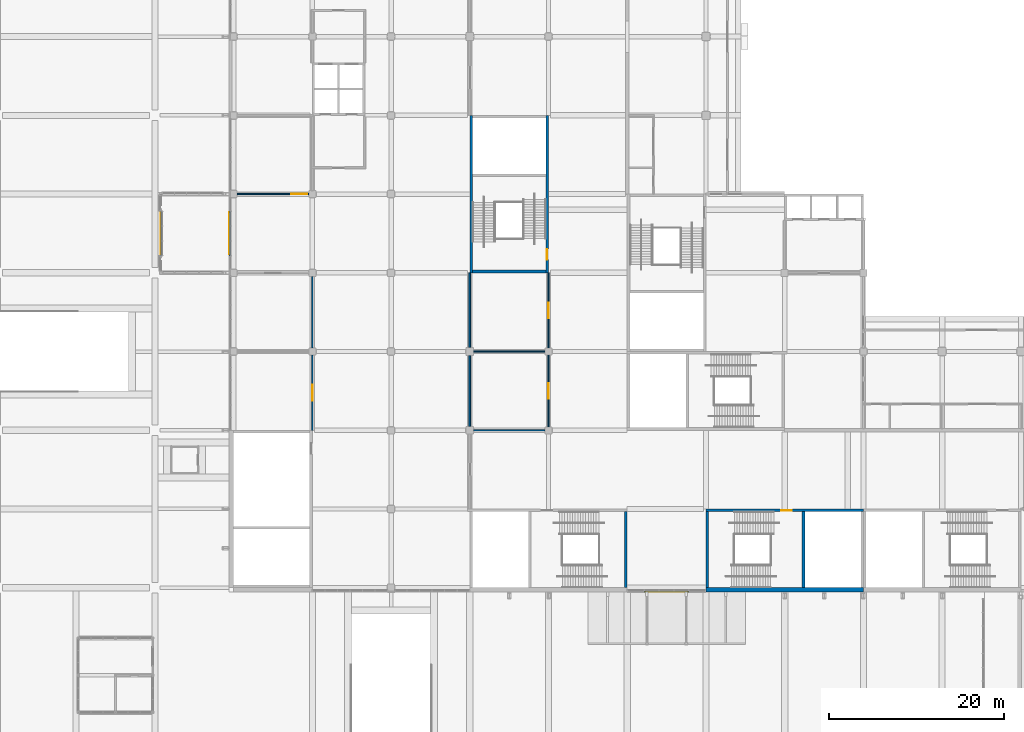
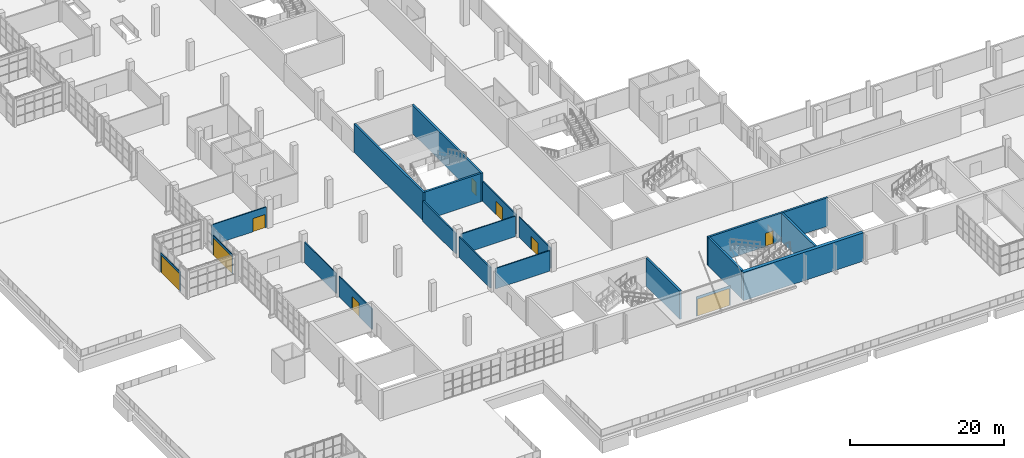
# One storey, part 92 of 168: 20 walls, 9 doors, 9 openings.
"""IFC4 building model written with IfcOpenShell, lengths in metres."""

from ifc_helpers import new_model, si_unit, direction, frame, frame_2d, origin, place, context, subcontext, project, spatial, rectangle, extrude, material, layer, layer_set, type_object, element, fill, save


model = new_model("IFC4")

# Units and contexts
model_context = context("Model", 3, precision=1e-05, world=origin(), true_north=direction((0.0, 1.0)))
body_context = subcontext(model_context, "Body", "Model", "MODEL_VIEW")
ifc_project = project(units=[si_unit("LENGTHUNIT", "METRE"), si_unit("AREAUNIT", "SQUARE_METRE"), si_unit("VOLUMEUNIT", "CUBIC_METRE"), si_unit("PLANEANGLEUNIT", "RADIAN"), si_unit("MASSUNIT", "GRAM", prefix="KILO")], contexts=[model_context])

# Site, building, storey
site_placement = place(None, origin())
site = spatial("IfcSite", under=ifc_project, at=site_placement, CompositionType="ELEMENT")
building_placement = place(site_placement, origin())
building = spatial("IfcBuilding", under=site, at=building_placement, Name="Silverbay Arena", CompositionType="ELEMENT")
storey_placement = place(building_placement, frame((0.0, 0.0, 7.0)))
storey = spatial("IfcBuildingStorey", under=building, at=storey_placement, Name="L01", CompositionType="ELEMENT", Elevation=7.0)

# Wall, opening, door
ifc_material_1 = material(Name="Concrete Grade C45", Category="concrete")
ifc_layer_1 = layer(ifc_material_1, 0.300048828125)
ifc_layer_set_1 = layer_set([ifc_layer_1], Name="Concrete Grade C45")
wall_type_1 = type_object("IfcWallType", Name="Core wall RC 300 EI 120", PredefinedType="SHEAR", material=ifc_layer_set_1)
wall_1_placement = place(storey_placement, frame((81.0, 26.85009765625, 0.0), z_axis=(0.0, 0.0, 1.0), x_axis=(1.0, 0.0, 0.0)))
wall_1 = element("IfcWall", 1, at=wall_1_placement, inside=storey, type_object=wall_type_1, Name="Core wall ST-S1 L01 door side", PredefinedType="SHEAR", context=body_context, shape_type="SweptSolid", body=[
    extrude(rectangle(XDim=18.0, YDim=0.300048828125, at=frame_2d((9.0, 0.0))), origin(), (0.0, 0.0, 1.0), 4.5),
])
opening_1_placement = place(wall_1_placement, frame((8.60009765625, 0.0, 0.0)))
opening_1 = element("IfcOpeningElement", 2, at=opening_1_placement, cuts=wall_1, Name="Opening L01-101", PredefinedType="OPENING", context=body_context, shape_type="SweptSolid", body=[
    extrude(rectangle(XDim=1.199951171875, YDim=2.10009765625, at=frame_2d((0.60009765625, 1.050048828125))), frame((0.0, 0.16015625, 0.0), z_axis=(0.0, -1.0, 0.0), x_axis=(1.0, 0.0, 0.0)), (0.0, 0.0, 1.0), 0.320068359375),
])
ifc_material_2 = material(Name="Steel fire door", Category="steel")
door_type_1 = type_object("IfcDoorType", Name="Stair door 1200 x 2100 fire door", OperationType="SINGLE_SWING_LEFT", PredefinedType="DOOR", material=ifc_material_2)
door_1_placement = place(opening_1_placement, frame((1.199951171875, 0.0, 0.0), z_axis=(0.0, 0.0, 1.0), x_axis=(-1.0, 0.0, 0.0)))
door_1 = element("IfcDoor", 3, at=door_1_placement, inside=storey, type_object=door_type_1, Name="Stair door ST-S1 L01", OperationType="SINGLE_SWING_LEFT", OverallHeight=2.10009765625, OverallWidth=1.199951171875, PredefinedType="DOOR", context=body_context, shape_type="SweptSolid", body=[
    extrude(rectangle(XDim=1.199951171875, YDim=2.10009765625, at=frame_2d((0.60009765625, 1.050048828125))), frame((0.0, 0.02490234375, 0.0), z_axis=(0.0, -1.0, 0.0), x_axis=(1.0, 0.0, 0.0)), (0.0, 0.0, 1.0), 0.050048828125),
])
fill(opening_1, door_1)

# Walls
for number, where, z_axis, x_axis, name in (
    (4, (81.14990234375, 26.699951171875, 0.0), (0.0, 0.0, 1.0), (0.0, -1.0, 0.0), "Core wall ST-S1 L01 end 1"),
    (5, (92.14990234375, 26.699951171875, 0.0), (0.0, 0.0, 1.0), (0.0, -1.0, 0.0), "Core wall ST-S1 L01 stair enclosure"),
    (6, (71.85009765625, 26.699951171875, 0.0), (0.0, 0.0, 1.0), (0.0, -1.0, 0.0), "Core wall ST-S5 L01 end 1"),
):
    element("IfcWall", number, at=place(storey_placement, frame(where, z_axis=z_axis, x_axis=x_axis)), inside=storey, type_object=wall_type_1, Name=name, PredefinedType="SHEAR", context=body_context, shape_type="SweptSolid", body=[
        extrude(rectangle(XDim=8.699951171875, YDim=0.300048828125, at=frame_2d((4.35009765625, 0.0))), origin(), (0.0, 0.0, 1.0), 4.5),
    ])

# Wall, opening, door
wall_2_placement = place(storey_placement, frame((62.85009765625, 54.0, 0.0), z_axis=(0.0, 0.0, 1.0), x_axis=(0.0, 1.0, 0.0)))
wall_2 = element("IfcWall", 7, at=wall_2_placement, inside=storey, type_object=wall_type_1, Name="Core wall ST-W1 L01 door side", PredefinedType="SHEAR", context=body_context, shape_type="SweptSolid", body=[
    extrude(rectangle(XDim=18.0, YDim=0.300048828125, at=frame_2d((9.0, 0.0))), origin(), (0.0, 0.0, 1.0), 4.5),
])
opening_2_placement = place(wall_2_placement, frame((1.5, 0.0, 0.0)))
opening_2 = element("IfcOpeningElement", 8, at=opening_2_placement, cuts=wall_2, Name="Opening L01-113", PredefinedType="OPENING", context=body_context, shape_type="SweptSolid", body=[
    extrude(rectangle(XDim=1.199951171875, YDim=2.10009765625, at=frame_2d((0.60009765625, 1.050048828125))), frame((0.0, 0.16015625, 0.0), z_axis=(0.0, -1.0, 0.0), x_axis=(1.0, 0.0, 0.0)), (0.0, 0.0, 1.0), 0.320068359375),
])
door_2_placement = place(opening_2_placement, origin())
door_2 = element("IfcDoor", 9, at=door_2_placement, inside=storey, type_object=door_type_1, Name="Stair door ST-W1 L01", OperationType="SINGLE_SWING_LEFT", OverallHeight=2.10009765625, OverallWidth=1.199951171875, PredefinedType="DOOR", context=body_context, shape_type="SweptSolid", body=[
    extrude(rectangle(XDim=1.199951171875, YDim=2.10009765625, at=frame_2d((0.60009765625, 1.050048828125))), frame((0.0, 0.02490234375, 0.0), z_axis=(0.0, -1.0, 0.0), x_axis=(1.0, 0.0, 0.0)), (0.0, 0.0, 1.0), 0.050048828125),
])
fill(opening_2, door_2)

# Walls
wall_3_placement = place(storey_placement, frame((54.14990234375, 54.0, 0.0), z_axis=(0.0, 0.0, 1.0), x_axis=(0.0, 1.0, 0.0)))
element("IfcWall", 10, at=wall_3_placement, inside=storey, type_object=wall_type_1, Name="Core wall ST-W1 L01 far side", PredefinedType="SHEAR", context=body_context, shape_type="SweptSolid", body=[
    extrude(rectangle(XDim=18.0, YDim=0.300048828125, at=frame_2d((9.0, 0.0))), origin(), (0.0, 0.0, 1.0), 4.5),
])
wall_4_placement = place(storey_placement, frame((62.699951171875, 54.14990234375, 0.0), z_axis=(0.0, 0.0, 1.0), x_axis=(-1.0, 0.0, 0.0)))
element("IfcWall", 11, at=wall_4_placement, inside=storey, type_object=wall_type_1, Name="Core wall ST-W1 L01 end 1", PredefinedType="SHEAR", context=body_context, shape_type="SweptSolid", body=[
    extrude(rectangle(XDim=8.39990234375, YDim=0.300048828125, at=frame_2d((4.199951171875, 0.0))), origin(), (0.0, 0.0, 1.0), 4.5),
])
ifc_material_3 = material(Name="Concrete Grade C45", Category="concrete")
ifc_layer_2 = layer(ifc_material_3, 0.5)
ifc_layer_set_2 = layer_set([ifc_layer_2], Name="Concrete Grade C45")
wall_type_2 = type_object("IfcWallType", Name="Core wall RC 500 external EI 120", PredefinedType="SHEAR", material=ifc_layer_set_2)
wall_5_placement = place(storey_placement, frame((81.0, 17.75, 0.0), z_axis=(0.0, 0.0, 1.0), x_axis=(1.0, 0.0, 0.0)))
element("IfcWall", 12, at=wall_5_placement, inside=storey, type_object=wall_type_2, Name="Core wall ST-S1 L01 facade side", PredefinedType="SHEAR", context=body_context, shape_type="SweptSolid", body=[
    extrude(rectangle(XDim=18.0, YDim=0.5, at=frame_2d((9.0, 0.0))), origin(), (0.0, 0.0, 1.0), 4.5),
])

# Wall, opening, door
ifc_material_4 = material(Name="Aluminium and glass", Category="aluminium")
ifc_layer_3 = layer(ifc_material_4, 0.10009765625)
ifc_layer_set_3 = layer_set([ifc_layer_3], Name="Aluminium and glass")
wall_type_3 = type_object("IfcWallType", Name="Glazed entrance screen 100", PredefinedType="SOLIDWALL", material=ifc_layer_set_3)
wall_6_placement = place(storey_placement, frame((73.949951171875, 17.550048828125, 0.0), z_axis=(0.0, 0.0, 1.0), x_axis=(1.0, 0.0, 0.0)))
wall_6 = element("IfcWall", 13, at=wall_6_placement, inside=storey, type_object=wall_type_3, Name="South entrance screen L01 bay 6", PredefinedType="SOLIDWALL", context=body_context, shape_type="SweptSolid", body=[
    extrude(rectangle(XDim=5.10009765625, YDim=0.10009765625, at=frame_2d((2.550048828125, 0.0))), origin(), (0.0, 0.0, 1.0), 3.10009765625),
])
opening_3_placement = place(wall_6_placement, frame((0.14990234375, 0.0, 0.0)))
opening_3 = element("IfcOpeningElement", 14, at=opening_3_placement, cuts=wall_6, Name="Opening L01-087", PredefinedType="OPENING", context=body_context, shape_type="SweptSolid", body=[
    extrude(rectangle(XDim=4.800048828125, YDim=2.699951171875, at=frame_2d((2.39990234375, 1.35009765625))), frame((0.0, 0.06005859375, 0.0), z_axis=(0.0, -1.0, 0.0), x_axis=(1.0, 0.0, 0.0)), (0.0, 0.0, 1.0), 0.1201171875),
])
ifc_material_5 = material(Name="Aluminium and glass", Category="aluminium")
door_type_2 = type_object("IfcDoorType", Name="Entrance door 4800 x 2700", OperationType="DOUBLE_DOOR_SINGLE_SWING", PredefinedType="DOOR", material=ifc_material_5)
door_3_placement = place(opening_3_placement, frame((4.800048828125, 0.0, 0.0), z_axis=(0.0, 0.0, 1.0), x_axis=(-1.0, 0.0, 0.0)))
door_3 = element("IfcDoor", 15, at=door_3_placement, inside=storey, type_object=door_type_2, Name="Main entrance E1", OperationType="DOUBLE_DOOR_SINGLE_SWING", OverallHeight=2.699951171875, OverallWidth=4.800048828125, PredefinedType="DOOR", context=body_context, shape_type="SweptSolid", body=[
    extrude(rectangle(XDim=4.800048828125, YDim=2.699951171875, at=frame_2d((2.39990234375, 1.35009765625))), frame((0.0, 0.02490234375, 0.0), z_axis=(0.0, -1.0, 0.0), x_axis=(1.0, 0.0, 0.0)), (0.0, 0.0, 1.0), 0.050048828125),
])
fill(opening_3, door_3)

wall_7_placement = place(storey_placement, frame((26.550048828125, 61.050048828125, 0.0), z_axis=(0.0, 0.0, 1.0), x_axis=(0.0, -1.0, 0.0)))
wall_7 = element("IfcWall", 16, at=wall_7_placement, inside=storey, type_object=wall_type_3, Name="West entrance screen L01 bay 5", PredefinedType="SOLIDWALL", context=body_context, shape_type="SweptSolid", body=[
    extrude(rectangle(XDim=5.10009765625, YDim=0.10009765625, at=frame_2d((2.550048828125, 0.0))), origin(), (0.0, 0.0, 1.0), 3.10009765625),
])
opening_4_placement = place(wall_7_placement, frame((0.14990234375, 0.0, 0.0)))
opening_4 = element("IfcOpeningElement", 17, at=opening_4_placement, cuts=wall_7, Name="Opening L01-093", PredefinedType="OPENING", context=body_context, shape_type="SweptSolid", body=[
    extrude(rectangle(XDim=4.800048828125, YDim=2.699951171875, at=frame_2d((2.39990234375, 1.35009765625))), frame((0.0, 0.06005859375, 0.0), z_axis=(0.0, -1.0, 0.0), x_axis=(1.0, 0.0, 0.0)), (0.0, 0.0, 1.0), 0.1201171875),
])
door_4_placement = place(opening_4_placement, frame((4.800048828125, 0.0, 0.0), z_axis=(0.0, 0.0, 1.0), x_axis=(-1.0, 0.0, 0.0)))
door_4 = element("IfcDoor", 18, at=door_4_placement, inside=storey, type_object=door_type_2, Name="Main entrance E4", OperationType="DOUBLE_DOOR_SINGLE_SWING", OverallHeight=2.699951171875, OverallWidth=4.800048828125, PredefinedType="DOOR", context=body_context, shape_type="SweptSolid", body=[
    extrude(rectangle(XDim=4.800048828125, YDim=2.699951171875, at=frame_2d((2.39990234375, 1.35009765625))), frame((0.0, 0.02490234375, 0.0), z_axis=(0.0, -1.0, 0.0), x_axis=(1.0, 0.0, 0.0)), (0.0, 0.0, 1.0), 0.050048828125),
])
fill(opening_4, door_4)

wall_8_placement = place(storey_placement, frame((18.699951171875, 61.050048828125, 0.0), z_axis=(0.0, 0.0, 1.0), x_axis=(0.0, -1.0, 0.0)))
wall_8 = element("IfcWall", 19, at=wall_8_placement, inside=storey, type_object=wall_type_3, Name="West entrance hall W0 entrance screen", PredefinedType="SOLIDWALL", context=body_context, shape_type="SweptSolid", body=[
    extrude(rectangle(XDim=5.10009765625, YDim=0.10009765625, at=frame_2d((2.550048828125, 0.0))), origin(), (0.0, 0.0, 1.0), 3.10009765625),
])
opening_5_placement = place(wall_8_placement, frame((0.14990234375, 0.0, 0.0)))
opening_5 = element("IfcOpeningElement", 20, at=opening_5_placement, cuts=wall_8, Name="Opening L01-099", PredefinedType="OPENING", context=body_context, shape_type="SweptSolid", body=[
    extrude(rectangle(XDim=4.800048828125, YDim=2.699951171875, at=frame_2d((2.39990234375, 1.35009765625))), frame((0.0, 0.06005859375, 0.0), z_axis=(0.0, -1.0, 0.0), x_axis=(1.0, 0.0, 0.0)), (0.0, 0.0, 1.0), 0.1201171875),
])
door_5_placement = place(opening_5_placement, frame((4.800048828125, 0.0, 0.0), z_axis=(0.0, 0.0, 1.0), x_axis=(-1.0, 0.0, 0.0)))
door_5 = element("IfcDoor", 21, at=door_5_placement, inside=storey, type_object=door_type_2, Name="Entrance hall door", OperationType="DOUBLE_DOOR_SINGLE_SWING", OverallHeight=2.699951171875, OverallWidth=4.800048828125, PredefinedType="DOOR", context=body_context, shape_type="SweptSolid", body=[
    extrude(rectangle(XDim=4.800048828125, YDim=2.699951171875, at=frame_2d((2.39990234375, 1.35009765625))), frame((0.0, 0.02490234375, 0.0), z_axis=(0.0, -1.0, 0.0), x_axis=(1.0, 0.0, 0.0)), (0.0, 0.0, 1.0), 0.050048828125),
])
fill(opening_5, door_5)

# Walls
ifc_material_6 = material(Name="Gypsum board partition on steel studs", Category="steel")
ifc_layer_4 = layer(ifc_material_6, 0.14990234375)
ifc_layer_set_4 = layer_set([ifc_layer_4], Name="Gypsum board partition on steel studs")
wall_type_4 = type_object("IfcWallType", Name="Partition 150 EI 60", PredefinedType="PARTITIONING", material=ifc_layer_set_4)
for number, where, z_axis, x_axis, name in (
    (22, (54.449951171875, 36.0, 0.0), (0.0, 0.0, 1.0), (1.0, 0.0, 0.0), "Partition wall"),
    (23, (54.449951171875, 45.0, 0.0), (0.0, 0.0, 1.0), (1.0, 0.0, 0.0), "Partition wall"),
):
    element("IfcWall", number, at=place(storey_placement, frame(where, z_axis=z_axis, x_axis=x_axis)), inside=storey, type_object=wall_type_4, Name=name, PredefinedType="PARTITIONING", context=body_context, shape_type="SweptSolid", body=[
        extrude(rectangle(XDim=8.150146484375, YDim=0.14990234375, at=frame_2d((4.0751953125, 0.0))), origin(), (0.0, 0.0, 1.0), 3.25),
    ])

# Wall, opening, door
wall_9_placement = place(storey_placement, frame((27.39990234375, 63.0, 0.0), z_axis=(0.0, 0.0, 1.0), x_axis=(1.0, 0.0, 0.0)))
wall_9 = element("IfcWall", 24, at=wall_9_placement, inside=storey, type_object=wall_type_4, Name="Partition wall", PredefinedType="PARTITIONING", context=body_context, shape_type="SweptSolid", body=[
    extrude(rectangle(XDim=8.2001953125, YDim=0.14990234375, at=frame_2d((4.10009765625, 0.0))), origin(), (0.0, 0.0, 1.0), 3.25),
])
opening_6_placement = place(wall_9_placement, frame((6.199951171875, 0.0, 0.0)))
opening_6 = element("IfcOpeningElement", 25, at=opening_6_placement, cuts=wall_9, Name="Opening L01-041", PredefinedType="OPENING", context=body_context, shape_type="SweptSolid", body=[
    extrude(rectangle(XDim=1.800048828125, YDim=2.10009765625, at=frame_2d((0.89990234375, 1.050048828125))), frame((0.0, 0.0849609375, 0.0), z_axis=(0.0, -1.0, 0.0), x_axis=(1.0, 0.0, 0.0)), (0.0, 0.0, 1.0), 0.169921875),
])
ifc_material_7 = material(Name="Steel faced timber", Category="steel")
door_type_3 = type_object("IfcDoorType", Name="Double leaf door 1800 x 2100 FD30S", OperationType="DOUBLE_DOOR_DOUBLE_SWING", PredefinedType="DOOR", material=ifc_material_7)
door_6_placement = place(opening_6_placement, origin())
door_6 = element("IfcDoor", 26, at=door_6_placement, inside=storey, type_object=door_type_3, Name="Door L01-041", OperationType="DOUBLE_DOOR_DOUBLE_SWING", OverallHeight=2.10009765625, OverallWidth=1.800048828125, PredefinedType="DOOR", context=body_context, shape_type="SweptSolid", body=[
    extrude(rectangle(XDim=1.800048828125, YDim=2.10009765625, at=frame_2d((0.89990234375, 1.050048828125))), frame((0.0, 0.02490234375, 0.0), z_axis=(0.0, -1.0, 0.0), x_axis=(1.0, 0.0, 0.0)), (0.0, 0.0, 1.0), 0.050048828125),
])
fill(opening_6, door_6)

wall_10_placement = place(storey_placement, frame((36.0, 36.0, 0.0), z_axis=(0.0, 0.0, 1.0), x_axis=(0.0, 1.0, 0.0)))
wall_10 = element("IfcWall", 27, at=wall_10_placement, inside=storey, type_object=wall_type_4, Name="Partition wall", PredefinedType="PARTITIONING", context=body_context, shape_type="SweptSolid", body=[
    extrude(rectangle(XDim=8.60009765625, YDim=0.14990234375, at=frame_2d((4.300048828125, 0.0))), origin(), (0.0, 0.0, 1.0), 3.25),
])
opening_7_placement = place(wall_10_placement, frame((3.39990234375, 0.0, 0.0)))
opening_7 = element("IfcOpeningElement", 28, at=opening_7_placement, cuts=wall_10, Name="Opening L01-039", PredefinedType="OPENING", context=body_context, shape_type="SweptSolid", body=[
    extrude(rectangle(XDim=1.800048828125, YDim=2.10009765625, at=frame_2d((0.89990234375, 1.050048828125))), frame((0.0, 0.0849609375, 0.0), z_axis=(0.0, -1.0, 0.0), x_axis=(1.0, 0.0, 0.0)), (0.0, 0.0, 1.0), 0.169921875),
])
door_7_placement = place(opening_7_placement, origin())
door_7 = element("IfcDoor", 29, at=door_7_placement, inside=storey, type_object=door_type_3, Name="Door L01-039", OperationType="DOUBLE_DOOR_DOUBLE_SWING", OverallHeight=2.10009765625, OverallWidth=1.800048828125, PredefinedType="DOOR", context=body_context, shape_type="SweptSolid", body=[
    extrude(rectangle(XDim=1.800048828125, YDim=2.10009765625, at=frame_2d((0.89990234375, 1.050048828125))), frame((0.0, 0.02490234375, 0.0), z_axis=(0.0, -1.0, 0.0), x_axis=(1.0, 0.0, 0.0)), (0.0, 0.0, 1.0), 0.050048828125),
])
fill(opening_7, door_7)

# Wall
wall_11_placement = place(storey_placement, frame((36.0, 45.39990234375, 0.0), z_axis=(0.0, 0.0, 1.0), x_axis=(0.0, 1.0, 0.0)))
element("IfcWall", 30, at=wall_11_placement, inside=storey, type_object=wall_type_4, Name="Partition wall", PredefinedType="PARTITIONING", context=body_context, shape_type="SweptSolid", body=[
    extrude(rectangle(XDim=8.2001953125, YDim=0.14990234375, at=frame_2d((4.10009765625, 0.0))), origin(), (0.0, 0.0, 1.0), 3.25),
])

# Wall, opening, door
wall_12_placement = place(storey_placement, frame((63.0, 36.39990234375, 0.0), z_axis=(0.0, 0.0, 1.0), x_axis=(0.0, 1.0, 0.0)))
wall_12 = element("IfcWall", 31, at=wall_12_placement, inside=storey, type_object=wall_type_4, Name="Partition wall", PredefinedType="PARTITIONING", context=body_context, shape_type="SweptSolid", body=[
    extrude(rectangle(XDim=8.2001953125, YDim=0.14990234375, at=frame_2d((4.10009765625, 0.0))), origin(), (0.0, 0.0, 1.0), 3.25),
])
opening_8_placement = place(wall_12_placement, frame((3.199951171875, 0.0, 0.0)))
opening_8 = element("IfcOpeningElement", 32, at=opening_8_placement, cuts=wall_12, Name="Opening L01-005", PredefinedType="OPENING", context=body_context, shape_type="SweptSolid", body=[
    extrude(rectangle(XDim=1.800048828125, YDim=2.10009765625, at=frame_2d((0.89990234375, 1.050048828125))), frame((0.0, 0.0849609375, 0.0), z_axis=(0.0, -1.0, 0.0), x_axis=(1.0, 0.0, 0.0)), (0.0, 0.0, 1.0), 0.169921875),
])
door_8_placement = place(opening_8_placement, origin())
door_8 = element("IfcDoor", 33, at=door_8_placement, inside=storey, type_object=door_type_3, Name="Door L01-005", OperationType="DOUBLE_DOOR_DOUBLE_SWING", OverallHeight=2.10009765625, OverallWidth=1.800048828125, PredefinedType="DOOR", context=body_context, shape_type="SweptSolid", body=[
    extrude(rectangle(XDim=1.800048828125, YDim=2.10009765625, at=frame_2d((0.89990234375, 1.050048828125))), frame((0.0, 0.02490234375, 0.0), z_axis=(0.0, -1.0, 0.0), x_axis=(1.0, 0.0, 0.0)), (0.0, 0.0, 1.0), 0.050048828125),
])
fill(opening_8, door_8)

wall_13_placement = place(storey_placement, frame((63.0, 45.39990234375, 0.0), z_axis=(0.0, 0.0, 1.0), x_axis=(0.0, 1.0, 0.0)))
wall_13 = element("IfcWall", 34, at=wall_13_placement, inside=storey, type_object=wall_type_4, Name="Partition wall", PredefinedType="PARTITIONING", context=body_context, shape_type="SweptSolid", body=[
    extrude(rectangle(XDim=8.60009765625, YDim=0.14990234375, at=frame_2d((4.300048828125, 0.0))), origin(), (0.0, 0.0, 1.0), 3.14990234375),
])
opening_9_placement = place(wall_13_placement, frame((3.39990234375, 0.0, 0.0)))
opening_9 = element("IfcOpeningElement", 35, at=opening_9_placement, cuts=wall_13, Name="Opening L01-006", PredefinedType="OPENING", context=body_context, shape_type="SweptSolid", body=[
    extrude(rectangle(XDim=1.800048828125, YDim=2.10009765625, at=frame_2d((0.89990234375, 1.050048828125))), frame((0.0, 0.0849609375, 0.0), z_axis=(0.0, -1.0, 0.0), x_axis=(1.0, 0.0, 0.0)), (0.0, 0.0, 1.0), 0.169921875),
])
door_9_placement = place(opening_9_placement, origin())
door_9 = element("IfcDoor", 36, at=door_9_placement, inside=storey, type_object=door_type_3, Name="Door L01-006", OperationType="DOUBLE_DOOR_DOUBLE_SWING", OverallHeight=2.10009765625, OverallWidth=1.800048828125, PredefinedType="DOOR", context=body_context, shape_type="SweptSolid", body=[
    extrude(rectangle(XDim=1.800048828125, YDim=2.10009765625, at=frame_2d((0.89990234375, 1.050048828125))), frame((0.0, 0.02490234375, 0.0), z_axis=(0.0, -1.0, 0.0), x_axis=(1.0, 0.0, 0.0)), (0.0, 0.0, 1.0), 0.050048828125),
])
fill(opening_9, door_9)

# Walls
ifc_material_8 = material(Name="Masonry blockwork partition", Category="masonry")
ifc_layer_5 = layer(ifc_material_8, 0.199951171875)
ifc_layer_set_5 = layer_set([ifc_layer_5], Name="Masonry blockwork partition")
wall_type_5 = type_object("IfcWallType", Name="Partition 200 EI 120", PredefinedType="PARTITIONING", material=ifc_layer_set_5)
wall_14_placement = place(storey_placement, frame((54.0, 36.449951171875, 0.0), z_axis=(0.0, 0.0, 1.0), x_axis=(0.0, 1.0, 0.0)))
element("IfcWall", 37, at=wall_14_placement, inside=storey, type_object=wall_type_5, Name="Partition wall", PredefinedType="PARTITIONING", context=body_context, shape_type="SweptSolid", body=[
    extrude(rectangle(XDim=8.10009765625, YDim=0.199951171875, at=frame_2d((4.050048828125, 0.0))), origin(), (0.0, 0.0, 1.0), 3.25),
])
wall_15_placement = place(storey_placement, frame((54.0, 45.449951171875, 0.0), z_axis=(0.0, 0.0, 1.0), x_axis=(0.0, 1.0, 0.0)))
element("IfcWall", 38, at=wall_15_placement, inside=storey, type_object=wall_type_5, Name="Partition wall", PredefinedType="PARTITIONING", context=body_context, shape_type="SweptSolid", body=[
    extrude(rectangle(XDim=8.550048828125, YDim=0.199951171875, at=frame_2d((4.27490234375, 0.0))), origin(), (0.0, 0.0, 1.0), 3.25),
])

save(model, "model.ifc")
